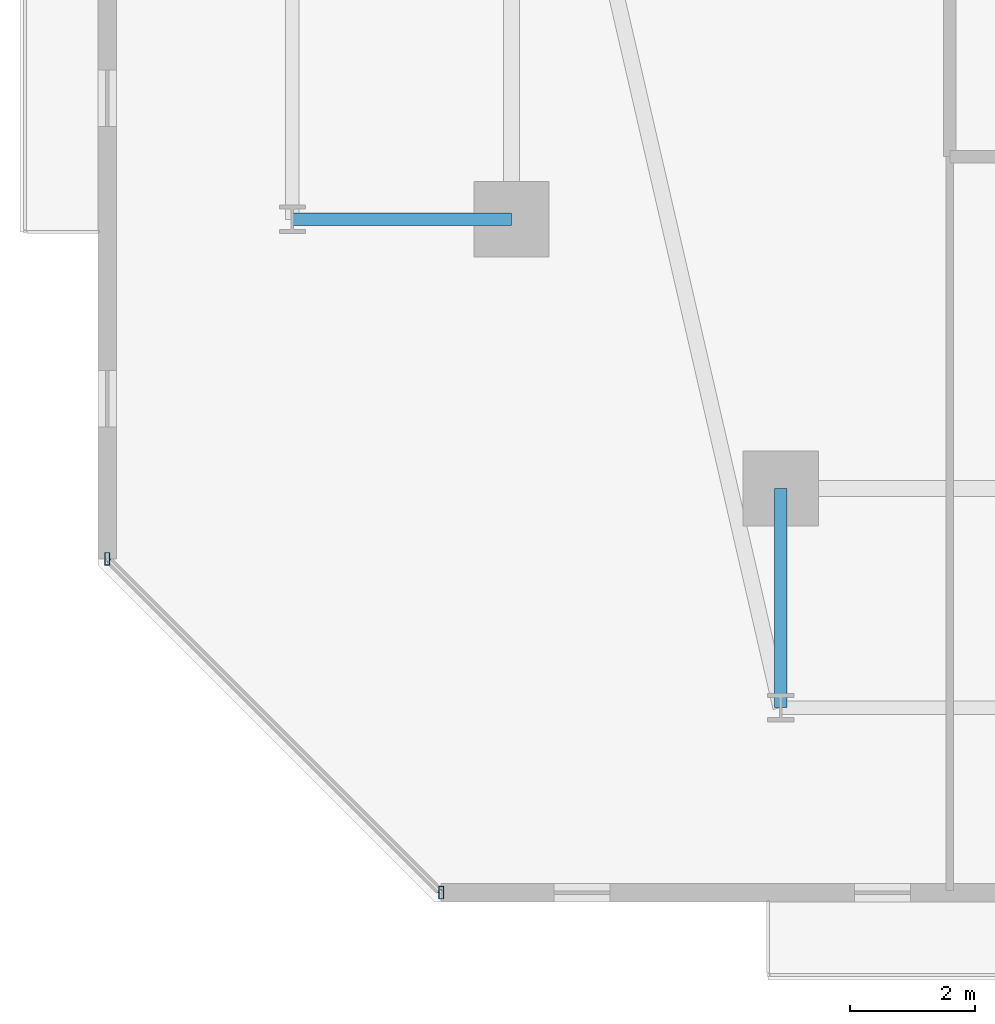
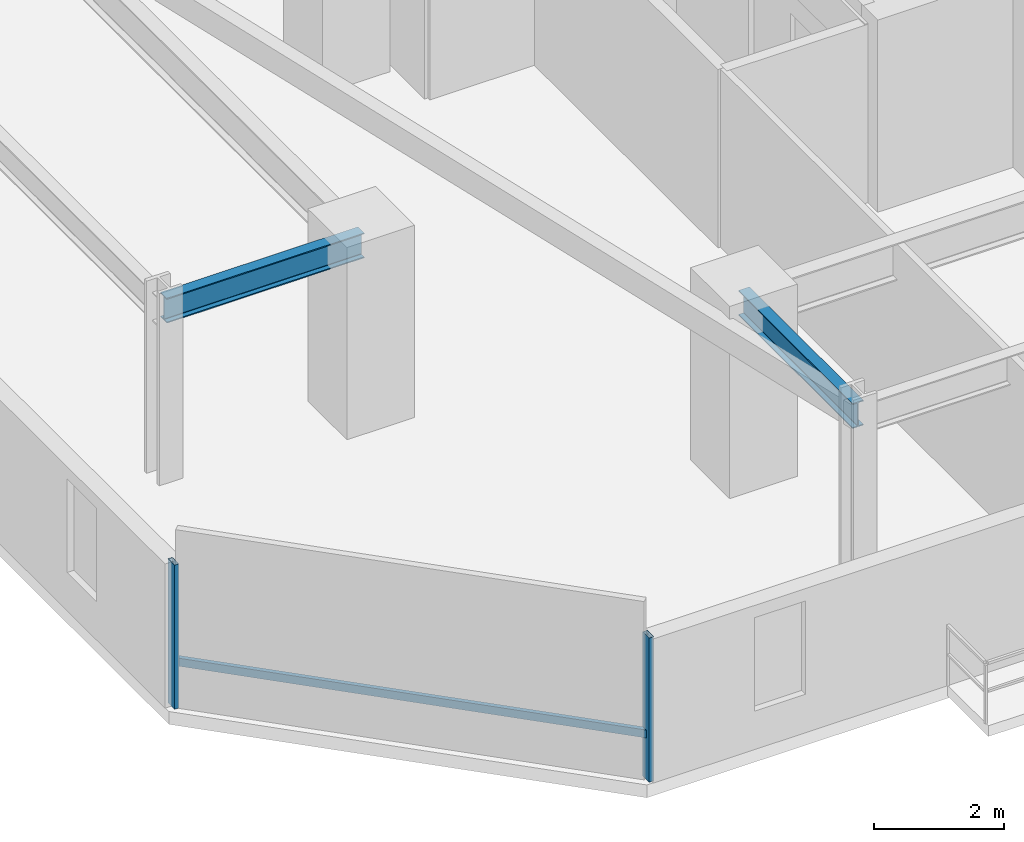
# One storey, part 3 of 33: 3 members, 2 beams, 1 element without a shape of its own.
"""IFC4 building model written with IfcOpenShell, lengths in metres."""

import ifcopenshell
import ifcopenshell.guid

model = None  # the IFC model being written
_history = None  # IfcOwnerHistory: only IFC2X3 demands one
_inside = {}  # id of a spatial element -> (the spatial element, [elements in it])
_under = {}  # id of a project, library or spatial element -> (it, [spatial elements below it])
_declared = {}  # id of a project -> (the project, [libraries it declares])
_typed = {}  # id of a type object -> (the type object, [elements of that type])
_made_of = {}  # id of a material, layer set ... -> (it, [elements and type objects made of it])


def new_model(schema):
    """Start an empty IFC model of exactly this schema.

    Asked for "IFC4X3", IfcOpenShell would pick the latest addendum, in which some entities
    have other attributes; the version numbers below select the first issue.
    IFC2X3 requires an IfcOwnerHistory on every rooted entity: one is made here for all.
    """
    global model, _history
    if schema == "IFC4X3":
        model = ifcopenshell.file(schema_version=(4, 3, 0, 0))
    else:
        model = ifcopenshell.file(schema=schema)
    _inside.clear()
    _under.clear()
    _declared.clear()
    _typed.clear()
    _made_of.clear()
    _history = None
    if model.schema == "IFC2X3":
        org = make("IfcOrganization", Name="unknown")
        user = make(
            "IfcPersonAndOrganization",
            ThePerson=make("IfcPerson", FamilyName="unknown"),
            TheOrganization=org,
        )
        app = make(
            "IfcApplication",
            ApplicationDeveloper=org,
            Version="unknown",
            ApplicationFullName="unknown",
            ApplicationIdentifier="unknown",
        )
        _history = make(
            "IfcOwnerHistory",
            OwningUser=user,
            OwningApplication=app,
            ChangeAction="ADDED",
            CreationDate=0,
        )
    return model


def make(cls, **values):
    """One entity of the class cls with the attributes given. An attribute that is None is left unset."""
    return model.create_entity(
        cls, **{name: value for name, value in values.items() if value is not None}
    )


def rooted(cls, **values):
    """An entity with a GlobalId (a new one), such as an element, a storey or a relation."""
    return make(cls, GlobalId=ifcopenshell.guid.new(), OwnerHistory=_history, **values)


def si_unit(unit_type, name, prefix=None):
    """IfcSIUnit, for example si_unit("LENGTHUNIT", "METRE", prefix="MILLI")."""
    return make("IfcSIUnit", UnitType=unit_type, Prefix=prefix, Name=name)


def assignment(units):
    """IfcUnitAssignment: the units of a project."""
    return None if units is None else make("IfcUnitAssignment", Units=units)


def point(xyz):
    """IfcCartesianPoint."""
    return None if xyz is None else make("IfcCartesianPoint", Coordinates=xyz)


def direction(xyz):
    """IfcDirection."""
    return None if xyz is None else make("IfcDirection", DirectionRatios=xyz)


def frame(location, z_axis=None, x_axis=None):
    """IfcAxis2Placement3D, a coordinate frame: its origin and axes. An axis left out is left unset."""
    return make(
        "IfcAxis2Placement3D",
        Location=point(location),
        Axis=direction(z_axis),
        RefDirection=direction(x_axis),
    )


def frame_2d(location, x_axis=None):
    """IfcAxis2Placement2D, a coordinate frame in the plane: its origin and x axis."""
    return make(
        "IfcAxis2Placement2D", Location=point(location), RefDirection=direction(x_axis)
    )


def origin():
    """The frame at (0, 0, 0) with its axes left unset."""
    return frame((0.0, 0.0, 0.0))


def origin_2d():
    """The frame at (0, 0) in the plane with its x axis left unset."""
    return frame_2d((0.0, 0.0))


def place(relative_to, where):
    """IfcLocalPlacement: puts the frame where relative to a parent placement (None: the world)."""
    return make(
        "IfcLocalPlacement", PlacementRelTo=relative_to, RelativePlacement=where
    )


def context(
    kind, dimensions, precision=None, world=None, true_north=None, identifier=None
):
    """IfcGeometricRepresentationContext, for example the 3D "Model" context."""
    return make(
        "IfcGeometricRepresentationContext",
        ContextIdentifier=identifier,
        ContextType=kind,
        CoordinateSpaceDimension=dimensions,
        Precision=precision,
        WorldCoordinateSystem=world,
        TrueNorth=true_north,
    )


def subcontext(parent, identifier, kind, view, scale=None):
    """IfcGeometricRepresentationSubContext, for example "Body" below "Model"."""
    return make(
        "IfcGeometricRepresentationSubContext",
        ContextIdentifier=identifier,
        ContextType=kind,
        ParentContext=parent,
        TargetScale=scale,
        TargetView=view,
    )


def project(units=None, contexts=None):
    """IfcProject with its units and contexts."""
    return rooted(
        "IfcProject",
        Name="project",
        RepresentationContexts=contexts,
        UnitsInContext=assignment(units),
    )


def spatial(cls, under=None, at=None, **own):
    """A site, building, storey or space (cls), placed at a placement, below another one or the project."""
    s = rooted(cls, ObjectPlacement=at, **own)
    if under is not None:
        _under.setdefault(under.id(), (under, []))[1].append(s)
    return s


def profile(cls, at=None, kind="AREA", **sizes):
    """A parametric profile (cls). Its sizes go by their IFC names, for example OverallWidth=200.0."""
    return make(cls, ProfileType=kind, Position=at, **sizes)


def hollow_rectangle(**sizes):
    """IfcRectangleHollowProfileDef."""
    return profile("IfcRectangleHollowProfileDef", **sizes)


def i_section(**sizes):
    """IfcIShapeProfileDef."""
    return profile("IfcIShapeProfileDef", **sizes)


def extrude(swept, where, along, depth):
    """IfcExtrudedAreaSolid: the profile swept, set in the frame where, extruded along a direction by depth."""
    return make(
        "IfcExtrudedAreaSolid",
        SweptArea=swept,
        Position=where,
        ExtrudedDirection=direction(along),
        Depth=depth,
    )


def shape(context_of_items, identifier, shape_type, items):
    """IfcShapeRepresentation: the items that make up one representation, for example the "Body"."""
    return make(
        "IfcShapeRepresentation",
        ContextOfItems=context_of_items,
        RepresentationIdentifier=identifier,
        RepresentationType=shape_type,
        Items=items,
    )


def material(Name=None, Category=None):
    """IfcMaterial."""
    return make("IfcMaterial", Name=Name, Category=Category)


def material_profile(
    of_material, cross_section, Name=None, Category=None, Priority=None
):
    """IfcMaterialProfile: a cross section and its material."""
    return make(
        "IfcMaterialProfile",
        Name=Name,
        Material=of_material,
        Profile=cross_section,
        Priority=Priority,
        Category=Category,
    )


def profile_set(profiles, Name=None, composite=None):
    """IfcMaterialProfileSet."""
    return make(
        "IfcMaterialProfileSet",
        Name=Name,
        MaterialProfiles=profiles,
        CompositeProfile=composite,
    )


def made_of(thing, what):
    """Note that an element or type object is made of a material, layer set ...; save() writes the relation."""
    if what is not None:
        _made_of.setdefault(what.id(), (what, []))[1].append(thing)
    return thing


def type_object(cls, material=None, **own):
    """A type object (cls), such as IfcWallType, which elements share."""
    return made_of(rooted(cls, **own), material)


def element(
    cls,
    number,
    at=None,
    inside=None,
    cuts=None,
    type_object=None,
    material=None,
    context=None,
    identifier="Body",
    shape_type=None,
    held_by="IfcProductDefinitionShape",
    body=None,
    shapes=None,
    **own,
):
    """One element of the class cls, such as IfcWall. Its Tag is "e" and its number.

    at: its placement. inside: the storey or other place that contains it. cuts: it is an
    opening in that element (IfcRelVoidsElement). A single representation is given by context,
    identifier, shape_type and body (its items); several are given by shapes. held_by: the class
    of the entity that holds the representations. save() writes the other relations.
    """
    e = rooted(cls, Tag="e%d" % number, ObjectPlacement=at, **own)
    if body is not None:
        shapes = [shape(context, identifier, shape_type, body)]
    if shapes is not None:
        e.Representation = make(held_by, Representations=shapes)
    if inside is not None:
        _inside.setdefault(inside.id(), (inside, []))[1].append(e)
    if cuts is not None:
        rooted(
            "IfcRelVoidsElement", RelatingBuildingElement=cuts, RelatedOpeningElement=e
        )
    if type_object is not None:
        _typed.setdefault(type_object.id(), (type_object, []))[1].append(e)
    return made_of(e, material)


def aggregate(whole, parts):
    """IfcRelAggregates: a whole, such as a stair, and the parts it consists of."""
    return rooted("IfcRelAggregates", RelatingObject=whole, RelatedObjects=parts)


def save(model, path):
    """Write the relations noted so far, then the file.

    IfcRelAggregates (storeys below a building ...), IfcRelContainedInSpatialStructure (elements
    in a storey), IfcRelDefinesByType, IfcRelAssociatesMaterial and IfcRelDeclares: one each for
    every whole, place, type object, material and project.
    """
    for whole, parts in _under.values():
        aggregate(whole, parts)
    for where, things in _inside.values():
        rooted(
            "IfcRelContainedInSpatialStructure",
            RelatedElements=things,
            RelatingStructure=where,
        )
    for kind, things in _typed.values():
        rooted("IfcRelDefinesByType", RelatedObjects=things, RelatingType=kind)
    for what, things in _made_of.values():
        rooted("IfcRelAssociatesMaterial", RelatedObjects=things, RelatingMaterial=what)
    for by, libraries in _declared.values():
        rooted("IfcRelDeclares", RelatingContext=by, RelatedDefinitions=libraries)
    model.write(path)


model = new_model("IFC4")

# Units and contexts
model_context = context("Model", 3, precision=1e-05, world=origin(), true_north=direction((0.0, 1.0)))
body_context = subcontext(model_context, "Body", "Model", "MODEL_VIEW")
ifc_project = project(units=[si_unit("LENGTHUNIT", "METRE"), si_unit("AREAUNIT", "SQUARE_METRE"), si_unit("VOLUMEUNIT", "CUBIC_METRE"), si_unit("PLANEANGLEUNIT", "RADIAN"), si_unit("MASSUNIT", "GRAM", prefix="KILO")], contexts=[model_context])

# Site, building, storey
site_placement = place(None, origin())
site = spatial("IfcSite", under=ifc_project, at=site_placement, CompositionType="ELEMENT")
building_placement = place(site_placement, origin())
building = spatial("IfcBuilding", under=site, at=building_placement, Name="Thornwick Lancets Civic Towers", CompositionType="ELEMENT")
storey_placement = place(building_placement, frame((0.0, 0.0, 130.5)))
storey = spatial("IfcBuildingStorey", under=building, at=storey_placement, Name="L34", CompositionType="ELEMENT", Elevation=130.5)

# Beams
ifc_material_1 = material(Name="Steel S355JR", Category="steel")
ifc_material_profile_1 = material_profile(ifc_material_1, i_section(OverallWidth=0.19287109375, OverallDepth=0.46728515625, WebThickness=0.011474609375, FlangeThickness=0.01953125, FilletRadius=0.01025390625, at=origin_2d()), Name="UKB 457x191x98")
ifc_profile_set_1 = profile_set([ifc_material_profile_1], Name="Steel S355JR")
beam_type = type_object("IfcBeamType", Name="BM_JOIST_457_98", PredefinedType="JOIST", material=ifc_profile_set_1)
for number, where, z_axis, x_axis, name in (
    (1, (12.5, 9.699951171875, 3.12646484375), (0.0, -1.0, 0.0), (1.0, 0.0, 0.0), "BM-RAD-L34-A01"),
    (2, (8.199951171875, 14.0, 3.12646484375), (-1.0, 0.0, 0.0), (0.0, -1.0, 0.0), "BM-RAD-L34-A10"),
):
    element("IfcBeam", number, at=place(storey_placement, frame(where, z_axis=z_axis, x_axis=x_axis)), inside=storey, type_object=beam_type, Name=name, PredefinedType="JOIST", context=body_context, shape_type="SweptSolid", body=[
        extrude(i_section(OverallWidth=0.19287109375, OverallDepth=0.46728515625, WebThickness=0.011474609375, FlangeThickness=0.01953125, FilletRadius=0.01025390625, at=origin_2d()), origin(), (0.0, 0.0, 1.0), 3.5),
    ])

# Curtain wall, members
ifc_material_2 = material(Name="Mid-zone chamfered-corner unitised glass curtain wall", Category="glass")
curtain_wall_type = type_object("IfcCurtainWallType", Name="CW_SYS_04", PredefinedType="NOTDEFINED", material=ifc_material_2)
curtain_wall_placement = place(storey_placement, origin())
curtain_wall = element("IfcCurtainWall", 3, at=curtain_wall_placement, inside=storey, type_object=curtain_wall_type, Name="L34 Curtain Wall CW-L34-A-E7", PredefinedType="NOTDEFINED")
ifc_material_3 = material(Name="Thermally broken bronze aluminium S355", Category="steel")
ifc_material_profile_2 = material_profile(ifc_material_3, hollow_rectangle(XDim=0.080078125, YDim=0.199951171875, WallThickness=0.006103515625, at=origin_2d()), Name="RHS 200x80x6")
ifc_profile_set_2 = profile_set([ifc_material_profile_2], Name="Thermally broken bronze aluminium S355")
member_type_1 = type_object("IfcMemberType", Name="CW_MUL_200", PredefinedType="MULLION", material=ifc_profile_set_2)
member_1_placement = place(storey_placement, frame((1.744384765625, 8.576416015625, 0.0), z_axis=(0.0, 0.0, 1.0), x_axis=(1.0, 0.0, 0.0)))
member_1 = element("IfcMember", 4, at=member_1_placement, type_object=member_type_1, Name="CW-L34-A-E7 Mullion 0", PredefinedType="MULLION", context=body_context, shape_type="SweptSolid", body=[
    extrude(hollow_rectangle(XDim=0.080078125, YDim=0.199951171875, WallThickness=0.006103515625, at=origin_2d()), origin(), (0.0, 0.0, 1.0), 2.699951171875),
])
member_2_placement = place(storey_placement, frame((7.076416015625, 3.244384765625, 0.0), z_axis=(0.0, 0.0, 1.0), x_axis=(1.0, 0.0, 0.0)))
member_2 = element("IfcMember", 5, at=member_2_placement, type_object=member_type_1, Name="CW-L34-A-E7 Mullion 1", PredefinedType="MULLION", context=body_context, shape_type="SweptSolid", body=[
    extrude(hollow_rectangle(XDim=0.080078125, YDim=0.199951171875, WallThickness=0.006103515625, at=origin_2d()), origin(), (0.0, 0.0, 1.0), 2.699951171875),
])
ifc_material_profile_3 = material_profile(ifc_material_3, hollow_rectangle(XDim=0.074951171875, YDim=0.14990234375, WallThickness=0.0048828125, at=origin_2d()), Name="RHS 150x75x5")
ifc_profile_set_3 = profile_set([ifc_material_profile_3], Name="Thermally broken bronze aluminium S355")
member_type_2 = type_object("IfcMemberType", Name="CW_TRN_150", PredefinedType="USERDEFINED", material=ifc_profile_set_3)
member_3_placement = place(storey_placement, frame((1.758544921875, 8.562255859375, 0.85009765625), z_axis=(0.707106781187, -0.707106781187, 0.0), x_axis=(0.707106781187, 0.707106781187, 0.0)))
member_3 = element("IfcMember", 6, at=member_3_placement, type_object=member_type_2, Name="CW-L34-A-E7 Transom 0", ObjectType="TRANSOM", PredefinedType="USERDEFINED", context=body_context, shape_type="SweptSolid", body=[
    extrude(hollow_rectangle(XDim=0.074951171875, YDim=0.14990234375, WallThickness=0.0048828125, at=origin_2d()), origin(), (0.0, 0.0, 1.0), 7.50048828125),
])
aggregate(curtain_wall, [member_1, member_2, member_3])

save(model, "model.ifc")
